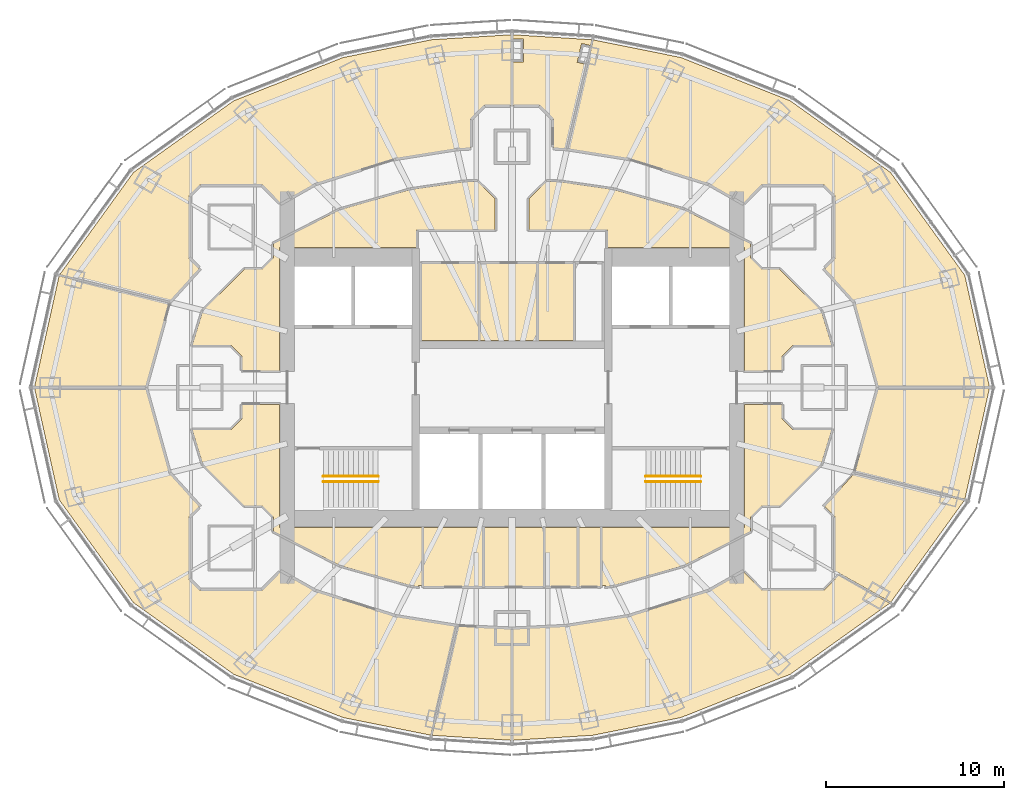
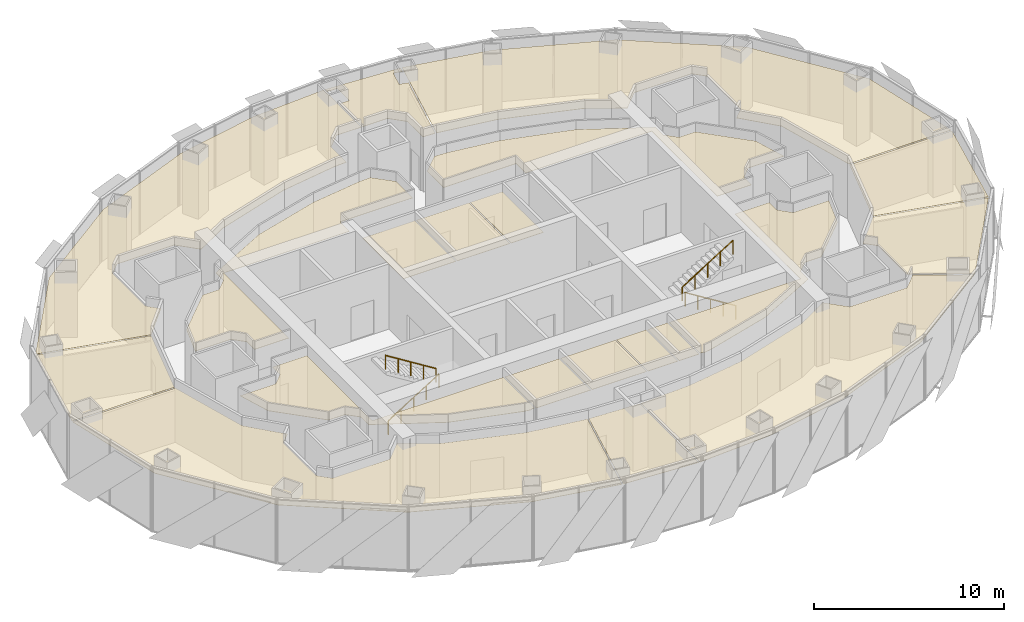
# One storey, part 18 of 18: 20 coverings, 4 railings.
"""IFC4 building model written with IfcOpenShell, lengths in metres."""

import ifcopenshell
import ifcopenshell.guid

model = None  # the IFC model being written
_history = None  # IfcOwnerHistory: only IFC2X3 demands one
_inside = {}  # id of a spatial element -> (the spatial element, [elements in it])
_under = {}  # id of a project, library or spatial element -> (it, [spatial elements below it])
_declared = {}  # id of a project -> (the project, [libraries it declares])
_typed = {}  # id of a type object -> (the type object, [elements of that type])
_made_of = {}  # id of a material, layer set ... -> (it, [elements and type objects made of it])


def new_model(schema):
    """Start an empty IFC model of exactly this schema.

    Asked for "IFC4X3", IfcOpenShell would pick the latest addendum, in which some entities
    have other attributes; the version numbers below select the first issue.
    IFC2X3 requires an IfcOwnerHistory on every rooted entity: one is made here for all.
    """
    global model, _history
    if schema == "IFC4X3":
        model = ifcopenshell.file(schema_version=(4, 3, 0, 0))
    else:
        model = ifcopenshell.file(schema=schema)
    _inside.clear()
    _under.clear()
    _declared.clear()
    _typed.clear()
    _made_of.clear()
    _history = None
    if model.schema == "IFC2X3":
        org = make("IfcOrganization", Name="unknown")
        user = make(
            "IfcPersonAndOrganization",
            ThePerson=make("IfcPerson", FamilyName="unknown"),
            TheOrganization=org,
        )
        app = make(
            "IfcApplication",
            ApplicationDeveloper=org,
            Version="unknown",
            ApplicationFullName="unknown",
            ApplicationIdentifier="unknown",
        )
        _history = make(
            "IfcOwnerHistory",
            OwningUser=user,
            OwningApplication=app,
            ChangeAction="ADDED",
            CreationDate=0,
        )
    return model


def make(cls, **values):
    """One entity of the class cls with the attributes given. An attribute that is None is left unset."""
    return model.create_entity(
        cls, **{name: value for name, value in values.items() if value is not None}
    )


def rooted(cls, **values):
    """An entity with a GlobalId (a new one), such as an element, a storey or a relation."""
    return make(cls, GlobalId=ifcopenshell.guid.new(), OwnerHistory=_history, **values)


def si_unit(unit_type, name, prefix=None):
    """IfcSIUnit, for example si_unit("LENGTHUNIT", "METRE", prefix="MILLI")."""
    return make("IfcSIUnit", UnitType=unit_type, Prefix=prefix, Name=name)


def assignment(units):
    """IfcUnitAssignment: the units of a project."""
    return None if units is None else make("IfcUnitAssignment", Units=units)


def point(xyz):
    """IfcCartesianPoint."""
    return None if xyz is None else make("IfcCartesianPoint", Coordinates=xyz)


def direction(xyz):
    """IfcDirection."""
    return None if xyz is None else make("IfcDirection", DirectionRatios=xyz)


def frame(location, z_axis=None, x_axis=None):
    """IfcAxis2Placement3D, a coordinate frame: its origin and axes. An axis left out is left unset."""
    return make(
        "IfcAxis2Placement3D",
        Location=point(location),
        Axis=direction(z_axis),
        RefDirection=direction(x_axis),
    )


def frame_2d(location, x_axis=None):
    """IfcAxis2Placement2D, a coordinate frame in the plane: its origin and x axis."""
    return make(
        "IfcAxis2Placement2D", Location=point(location), RefDirection=direction(x_axis)
    )


def origin():
    """The frame at (0, 0, 0) with its axes left unset."""
    return frame((0.0, 0.0, 0.0))


def origin_2d():
    """The frame at (0, 0) in the plane with its x axis left unset."""
    return frame_2d((0.0, 0.0))


def place(relative_to, where):
    """IfcLocalPlacement: puts the frame where relative to a parent placement (None: the world)."""
    return make(
        "IfcLocalPlacement", PlacementRelTo=relative_to, RelativePlacement=where
    )


def context(
    kind, dimensions, precision=None, world=None, true_north=None, identifier=None
):
    """IfcGeometricRepresentationContext, for example the 3D "Model" context."""
    return make(
        "IfcGeometricRepresentationContext",
        ContextIdentifier=identifier,
        ContextType=kind,
        CoordinateSpaceDimension=dimensions,
        Precision=precision,
        WorldCoordinateSystem=world,
        TrueNorth=true_north,
    )


def subcontext(parent, identifier, kind, view, scale=None):
    """IfcGeometricRepresentationSubContext, for example "Body" below "Model"."""
    return make(
        "IfcGeometricRepresentationSubContext",
        ContextIdentifier=identifier,
        ContextType=kind,
        ParentContext=parent,
        TargetScale=scale,
        TargetView=view,
    )


def project(units=None, contexts=None):
    """IfcProject with its units and contexts."""
    return rooted(
        "IfcProject",
        Name="project",
        RepresentationContexts=contexts,
        UnitsInContext=assignment(units),
    )


def spatial(cls, under=None, at=None, **own):
    """A site, building, storey or space (cls), placed at a placement, below another one or the project."""
    s = rooted(cls, ObjectPlacement=at, **own)
    if under is not None:
        _under.setdefault(under.id(), (under, []))[1].append(s)
    return s


def polyline(points):
    """IfcPolyline through the points."""
    return make("IfcPolyline", Points=[point(p) for p in points])


def profile(cls, at=None, kind="AREA", **sizes):
    """A parametric profile (cls). Its sizes go by their IFC names, for example OverallWidth=200.0."""
    return make(cls, ProfileType=kind, Position=at, **sizes)


def circle(**sizes):
    """IfcCircleProfileDef."""
    return profile("IfcCircleProfileDef", **sizes)


def outline(outer, holes=None, kind="AREA"):
    """IfcArbitraryClosedProfileDef: a profile drawn as a closed curve; with holes, ...WithVoids."""
    if holes is None:
        return make("IfcArbitraryClosedProfileDef", ProfileType=kind, OuterCurve=outer)
    return make(
        "IfcArbitraryProfileDefWithVoids",
        ProfileType=kind,
        OuterCurve=outer,
        InnerCurves=holes,
    )


def extrude(swept, where, along, depth):
    """IfcExtrudedAreaSolid: the profile swept, set in the frame where, extruded along a direction by depth."""
    return make(
        "IfcExtrudedAreaSolid",
        SweptArea=swept,
        Position=where,
        ExtrudedDirection=direction(along),
        Depth=depth,
    )


def shape(context_of_items, identifier, shape_type, items):
    """IfcShapeRepresentation: the items that make up one representation, for example the "Body"."""
    return make(
        "IfcShapeRepresentation",
        ContextOfItems=context_of_items,
        RepresentationIdentifier=identifier,
        RepresentationType=shape_type,
        Items=items,
    )


def material(Name=None, Category=None):
    """IfcMaterial."""
    return make("IfcMaterial", Name=Name, Category=Category)


def layer(
    of_material, thickness, ventilated=None, Name=None, Category=None, Priority=None
):
    """IfcMaterialLayer: one layer of a wall or slab, of a material (None: an air gap)."""
    return make(
        "IfcMaterialLayer",
        Material=of_material,
        LayerThickness=thickness,
        IsVentilated=ventilated,
        Name=Name,
        Category=Category,
        Priority=Priority,
    )


def layer_set(layers, Name=None):
    """IfcMaterialLayerSet."""
    return make("IfcMaterialLayerSet", MaterialLayers=layers, LayerSetName=Name)


def made_of(thing, what):
    """Note that an element or type object is made of a material, layer set ...; save() writes the relation."""
    if what is not None:
        _made_of.setdefault(what.id(), (what, []))[1].append(thing)
    return thing


def type_object(cls, material=None, **own):
    """A type object (cls), such as IfcWallType, which elements share."""
    return made_of(rooted(cls, **own), material)


def element(
    cls,
    number,
    at=None,
    inside=None,
    cuts=None,
    type_object=None,
    material=None,
    context=None,
    identifier="Body",
    shape_type=None,
    held_by="IfcProductDefinitionShape",
    body=None,
    shapes=None,
    **own,
):
    """One element of the class cls, such as IfcWall. Its Tag is "e" and its number.

    at: its placement. inside: the storey or other place that contains it. cuts: it is an
    opening in that element (IfcRelVoidsElement). A single representation is given by context,
    identifier, shape_type and body (its items); several are given by shapes. held_by: the class
    of the entity that holds the representations. save() writes the other relations.
    """
    e = rooted(cls, Tag="e%d" % number, ObjectPlacement=at, **own)
    if body is not None:
        shapes = [shape(context, identifier, shape_type, body)]
    if shapes is not None:
        e.Representation = make(held_by, Representations=shapes)
    if inside is not None:
        _inside.setdefault(inside.id(), (inside, []))[1].append(e)
    if cuts is not None:
        rooted(
            "IfcRelVoidsElement", RelatingBuildingElement=cuts, RelatedOpeningElement=e
        )
    if type_object is not None:
        _typed.setdefault(type_object.id(), (type_object, []))[1].append(e)
    return made_of(e, material)


def aggregate(whole, parts):
    """IfcRelAggregates: a whole, such as a stair, and the parts it consists of."""
    return rooted("IfcRelAggregates", RelatingObject=whole, RelatedObjects=parts)


def save(model, path):
    """Write the relations noted so far, then the file.

    IfcRelAggregates (storeys below a building ...), IfcRelContainedInSpatialStructure (elements
    in a storey), IfcRelDefinesByType, IfcRelAssociatesMaterial and IfcRelDeclares: one each for
    every whole, place, type object, material and project.
    """
    for whole, parts in _under.values():
        aggregate(whole, parts)
    for where, things in _inside.values():
        rooted(
            "IfcRelContainedInSpatialStructure",
            RelatedElements=things,
            RelatingStructure=where,
        )
    for kind, things in _typed.values():
        rooted("IfcRelDefinesByType", RelatedObjects=things, RelatingType=kind)
    for what, things in _made_of.values():
        rooted("IfcRelAssociatesMaterial", RelatedObjects=things, RelatingMaterial=what)
    for by, libraries in _declared.values():
        rooted("IfcRelDeclares", RelatingContext=by, RelatedDefinitions=libraries)
    model.write(path)


model = new_model("IFC4")

# Units and contexts
model_context = context("Model", 3, precision=1e-05, world=origin(), true_north=direction((0.0, 1.0)))
body_context = subcontext(model_context, "Body", "Model", "MODEL_VIEW")
ifc_project = project(units=[si_unit("LENGTHUNIT", "METRE"), si_unit("AREAUNIT", "SQUARE_METRE"), si_unit("VOLUMEUNIT", "CUBIC_METRE"), si_unit("PLANEANGLEUNIT", "RADIAN"), si_unit("MASSUNIT", "GRAM", prefix="KILO")], contexts=[model_context])

# Site, building, storey
site_placement = place(None, origin())
site = spatial("IfcSite", under=ifc_project, at=site_placement, CompositionType="ELEMENT")
building_placement = place(site_placement, origin())
building = spatial("IfcBuilding", under=site, at=building_placement, Name="Lantaw Convention Tower", CompositionType="ELEMENT")
storey_placement = place(building_placement, frame((0.0, 0.0, 257.800048828125)))
storey = spatial("IfcBuildingStorey", under=building, at=storey_placement, Name="L60", CompositionType="ELEMENT", Elevation=257.800048828125)

# Railings
ifc_material_1 = material(Name="Stainless steel", Category="steel")
railing_type = type_object("IfcRailingType", Name="Stair handrail", PredefinedType="HANDRAIL", material=ifc_material_1)
railing_1_placement = place(storey_placement, frame((-10.580078125, -5.280029296875, 0.175048828125)))
element("IfcRailing", 1, at=railing_1_placement, inside=storey, type_object=railing_type, Name="Stair handrail S1", PredefinedType="HANDRAIL", context=body_context, shape_type="SweptSolid", body=[
    extrude(circle(Radius=0.02392578125, at=origin_2d()), frame((0.0, 0.0, 0.8759765625), z_axis=(0.848028513186, 0.0, 0.529950602248), x_axis=(0.0, 1.0, 0.0)), (0.0, 0.0, 1.0), 3.632080078125),
    extrude(circle(Radius=0.02099609375, at=origin_2d()), origin(), (0.0, 0.0, 1.0), 0.851806640625),
    extrude(circle(Radius=0.02099609375, at=origin_2d()), frame((0.77001953125, 0.0, 0.481201171875)), (0.0, 0.0, 1.0), 0.851806640625),
    extrude(circle(Radius=0.02099609375, at=origin_2d()), frame((1.5400390625, 0.0, 0.96240234375)), (0.0, 0.0, 1.0), 0.851806640625),
    extrude(circle(Radius=0.02099609375, at=origin_2d()), frame((2.31005859375, 0.0, 1.443603515625)), (0.0, 0.0, 1.0), 0.851806640625),
    extrude(circle(Radius=0.02099609375, at=origin_2d()), frame((3.080078125, 0.0, 1.9248046875)), (0.0, 0.0, 1.0), 0.851806640625),
])
railing_2_placement = place(storey_placement, frame((-7.5, -4.97998046875, 2.27490234375)))
element("IfcRailing", 2, at=railing_2_placement, inside=storey, type_object=railing_type, Name="Stair handrail S1", PredefinedType="HANDRAIL", context=body_context, shape_type="SweptSolid", body=[
    extrude(circle(Radius=0.02392578125, at=origin_2d()), frame((0.0, 0.0, 0.8759765625), z_axis=(-0.847998304005, 0.0, 0.529998940003), x_axis=(0.0, -1.0, 0.0)), (0.0, 0.0, 1.0), 3.632080078125),
    extrude(circle(Radius=0.02099609375, at=origin_2d()), origin(), (0.0, 0.0, 1.0), 0.851806640625),
    extrude(circle(Radius=0.02099609375, at=origin_2d()), frame((-0.77001953125, 0.0, 0.481201171875)), (0.0, 0.0, 1.0), 0.851806640625),
    extrude(circle(Radius=0.02099609375, at=origin_2d()), frame((-1.5400390625, 0.0, 0.96240234375)), (0.0, 0.0, 1.0), 0.851806640625),
    extrude(circle(Radius=0.02099609375, at=origin_2d()), frame((-2.31005859375, 0.0, 1.44384765625)), (0.0, 0.0, 1.0), 0.851806640625),
    extrude(circle(Radius=0.02099609375, at=origin_2d()), frame((-3.080078125, 0.0, 1.925048828125)), (0.0, 0.0, 1.0), 0.851806640625),
])
railing_3_placement = place(storey_placement, frame((10.580078125, -5.280029296875, 0.175048828125)))
element("IfcRailing", 3, at=railing_3_placement, inside=storey, type_object=railing_type, Name="Stair handrail S2", PredefinedType="HANDRAIL", context=body_context, shape_type="SweptSolid", body=[
    extrude(circle(Radius=0.02392578125, at=origin_2d()), frame((0.0, 0.0, 0.8759765625), z_axis=(-0.848028513186, 0.0, 0.529950602248), x_axis=(0.0, -1.0, 0.0)), (0.0, 0.0, 1.0), 3.632080078125),
    extrude(circle(Radius=0.02099609375, at=origin_2d()), origin(), (0.0, 0.0, 1.0), 0.851806640625),
    extrude(circle(Radius=0.02099609375, at=origin_2d()), frame((-0.77001953125, 0.0, 0.481201171875)), (0.0, 0.0, 1.0), 0.851806640625),
    extrude(circle(Radius=0.02099609375, at=origin_2d()), frame((-1.5400390625, 0.0, 0.96240234375)), (0.0, 0.0, 1.0), 0.851806640625),
    extrude(circle(Radius=0.02099609375, at=origin_2d()), frame((-2.31005859375, 0.0, 1.443603515625)), (0.0, 0.0, 1.0), 0.851806640625),
    extrude(circle(Radius=0.02099609375, at=origin_2d()), frame((-3.080078125, 0.0, 1.9248046875)), (0.0, 0.0, 1.0), 0.851806640625),
])
railing_4_placement = place(storey_placement, frame((7.5, -4.97998046875, 2.27490234375)))
element("IfcRailing", 4, at=railing_4_placement, inside=storey, type_object=railing_type, Name="Stair handrail S2", PredefinedType="HANDRAIL", context=body_context, shape_type="SweptSolid", body=[
    extrude(circle(Radius=0.02392578125, at=origin_2d()), frame((0.0, 0.0, 0.8759765625), z_axis=(0.847998304005, 0.0, 0.529998940003), x_axis=(0.0, 1.0, 0.0)), (0.0, 0.0, 1.0), 3.632080078125),
    extrude(circle(Radius=0.02099609375, at=origin_2d()), origin(), (0.0, 0.0, 1.0), 0.851806640625),
    extrude(circle(Radius=0.02099609375, at=origin_2d()), frame((0.77001953125, 0.0, 0.481201171875)), (0.0, 0.0, 1.0), 0.851806640625),
    extrude(circle(Radius=0.02099609375, at=origin_2d()), frame((1.5400390625, 0.0, 0.96240234375)), (0.0, 0.0, 1.0), 0.851806640625),
    extrude(circle(Radius=0.02099609375, at=origin_2d()), frame((2.31005859375, 0.0, 1.44384765625)), (0.0, 0.0, 1.0), 0.851806640625),
    extrude(circle(Radius=0.02099609375, at=origin_2d()), frame((3.080078125, 0.0, 1.925048828125)), (0.0, 0.0, 1.0), 0.851806640625),
])

# Coverings
ifc_material_2 = material(Name="Gypsum board on steel suspension grid", Category="steel")
ifc_layer = layer(ifc_material_2, 0.02001953125)
ifc_layer_set = layer_set([ifc_layer], Name="Suspended ceiling")
covering_type = type_object("IfcCoveringType", Name="Suspended ceiling", PredefinedType="CEILING", material=ifc_layer_set)
covering_1_placement = place(storey_placement, frame((0.0, 0.0, 3.449951171875)))
element("IfcCovering", 5, at=covering_1_placement, inside=storey, type_object=covering_type, Name="Male WC ceiling", PredefinedType="CEILING", context=body_context, shape_type="SweptSolid", body=[
    extrude(outline(polyline([(-5.080078125, 2.639892578125), (-1.88330078125, 2.639892578125), (-1.88330078125, 6.9599609375), (-5.080078125, 6.9599609375), (-5.080078125, 2.639892578125)])), origin(), (0.0, 0.0, 1.0), 0.02001953125),
])
covering_2_placement = place(storey_placement, frame((0.0, 0.0, 3.449951171875)))
element("IfcCovering", 6, at=covering_2_placement, inside=storey, type_object=covering_type, Name="Female WC ceiling", PredefinedType="CEILING", context=body_context, shape_type="SweptSolid", body=[
    extrude(outline(polyline([(-1.80322265625, 2.639892578125), (1.3935546875, 2.639892578125), (1.3935546875, 6.9599609375), (-1.80322265625, 6.9599609375), (-1.80322265625, 2.639892578125)])), origin(), (0.0, 0.0, 1.0), 0.02001953125),
])
covering_3_placement = place(storey_placement, frame((0.0, 0.0, 3.449951171875)))
element("IfcCovering", 7, at=covering_3_placement, inside=storey, type_object=covering_type, Name="Accessible WC ceiling", PredefinedType="CEILING", context=body_context, shape_type="SweptSolid", body=[
    extrude(outline(polyline([(1.4736328125, 2.639892578125), (3.441650390625, 2.639892578125), (3.441650390625, 6.9599609375), (1.4736328125, 6.9599609375), (1.4736328125, 2.639892578125)])), origin(), (0.0, 0.0, 1.0), 0.02001953125),
])
covering_4_placement = place(storey_placement, frame((0.0, 0.0, 3.449951171875)))
element("IfcCovering", 8, at=covering_4_placement, inside=storey, type_object=covering_type, Name="Male WC ceiling", PredefinedType="CEILING", context=body_context, shape_type="SweptSolid", body=[
    extrude(outline(polyline([(-4.9599609375, -11.159912109375), (-1.639892578125, -11.159912109375), (-1.639892578125, -7.840087890625), (-4.9599609375, -7.840087890625), (-4.9599609375, -11.159912109375)])), origin(), (0.0, 0.0, 1.0), 0.02001953125),
])
covering_5_placement = place(storey_placement, frame((0.0, 0.0, 3.449951171875)))
element("IfcCovering", 9, at=covering_5_placement, inside=storey, type_object=covering_type, Name="Female WC ceiling", PredefinedType="CEILING", context=body_context, shape_type="SweptSolid", body=[
    extrude(outline(polyline([(-1.56005859375, -11.159912109375), (1.760009765625, -11.159912109375), (1.760009765625, -7.840087890625), (-1.56005859375, -7.840087890625), (-1.56005859375, -11.159912109375)])), origin(), (0.0, 0.0, 1.0), 0.02001953125),
])
covering_6_placement = place(storey_placement, frame((0.0, 0.0, 3.449951171875)))
element("IfcCovering", 10, at=covering_6_placement, inside=storey, type_object=covering_type, Name="Accessible WC ceiling", PredefinedType="CEILING", context=body_context, shape_type="SweptSolid", body=[
    extrude(outline(polyline([(1.840087890625, -11.159912109375), (3.659912109375, -11.159912109375), (3.659912109375, -7.840087890625), (1.840087890625, -7.840087890625), (1.840087890625, -11.159912109375)])), origin(), (0.0, 0.0, 1.0), 0.02001953125),
])
covering_7_placement = place(storey_placement, frame((0.0, 0.0, 3.449951171875)))
element("IfcCovering", 11, at=covering_7_placement, inside=storey, type_object=covering_type, Name="Pantry ceiling", PredefinedType="CEILING", context=body_context, shape_type="SweptSolid", body=[
    extrude(outline(polyline([(3.739990234375, -11.159912109375), (4.9599609375, -11.159912109375), (4.9599609375, -7.840087890625), (3.739990234375, -7.840087890625), (3.739990234375, -11.159912109375)])), origin(), (0.0, 0.0, 1.0), 0.02001953125),
])
covering_8_placement = place(storey_placement, frame((0.0, 0.0, 3.449951171875)))
element("IfcCovering", 12, at=covering_8_placement, inside=storey, type_object=covering_type, Name="Meeting room ceiling", PredefinedType="CEILING", context=body_context, shape_type="SweptSolid", body=[
    extrude(outline(polyline([(-5.0400390625, -11.110107421875), (-5.0400390625, -7.840087890625), (-13.0400390625, -7.840087890625), (-13.0400390625, -0.93994140625), (-15.135009765625, -0.93994140625), (-15.135009765625, -1.7412109375), (-15.7587890625, -2.364990234375), (-17.932861328125, -2.364990234375), (-17.336181640625, -4.31005859375), (-15.008056640625, -6.635009765625), (-14.0087890625, -6.635009765625), (-13.385009765625, -7.2587890625), (-13.385009765625, -8.062255859375), (-9.65576171875, -9.9765625), (-5.67138671875, -11.108154296875), (-5.239990234375, -11.170166015625), (-5.239990234375, -11.110107421875), (-5.0400390625, -11.110107421875)])), origin(), (0.0, 0.0, 1.0), 0.02001953125),
])
covering_9_placement = place(storey_placement, frame((0.0, 0.0, 3.449951171875)))
element("IfcCovering", 13, at=covering_9_placement, inside=storey, type_object=covering_type, Name="Project room ceiling", PredefinedType="CEILING", context=body_context, shape_type="SweptSolid", body=[
    extrude(outline(polyline([(13.0400390625, -0.93994140625), (13.0400390625, -7.840087890625), (5.0400390625, -7.840087890625), (5.0400390625, -11.110107421875), (5.239990234375, -11.110107421875), (5.239990234375, -11.170166015625), (5.67138671875, -11.108154296875), (9.65576171875, -9.9765625), (13.385009765625, -8.062255859375), (13.385009765625, -7.2587890625), (14.0087890625, -6.635009765625), (15.008056640625, -6.635009765625), (17.336181640625, -4.31005859375), (17.932861328125, -2.364990234375), (15.7587890625, -2.364990234375), (15.135009765625, -1.7412109375), (15.135009765625, -0.93994140625), (13.0400390625, -0.93994140625)])), origin(), (0.0, 0.0, 1.0), 0.02001953125),
])
covering_10_placement = place(storey_placement, frame((0.0, 0.0, 3.449951171875)))
element("IfcCovering", 14, at=covering_10_placement, inside=storey, type_object=covering_type, Name="Tenant storage room ceiling", PredefinedType="CEILING", context=body_context, shape_type="SweptSolid", body=[
    extrude(outline(polyline([(0.93994140625, 10.577392578125), (0.93994140625, 8.840087890625), (5.360107421875, 8.840087890625), (5.360107421875, 7.840087890625), (13.0400390625, 7.840087890625), (13.0400390625, 0.93994140625), (15.135009765625, 0.93994140625), (15.135009765625, 1.7412109375), (15.7587890625, 2.364990234375), (17.932861328125, 2.364990234375), (17.336181640625, 4.31005859375), (15.008056640625, 6.635009765625), (14.0087890625, 6.635009765625), (13.385009765625, 7.2587890625), (13.385009765625, 8.062255859375), (9.65576171875, 9.9765625), (5.67138671875, 11.108154296875), (2.669677734375, 11.5400390625), (1.9462890625, 11.572509765625), (1.548828125, 11.175048828125), (1.53662109375, 11.175048828125), (0.93994140625, 10.577392578125)])), origin(), (0.0, 0.0, 1.0), 0.02001953125),
])
covering_11_placement = place(storey_placement, frame((0.0, 0.0, 3.449951171875)))
element("IfcCovering", 15, at=covering_11_placement, inside=storey, type_object=covering_type, Name="Meeting room ceiling", PredefinedType="CEILING", context=body_context, shape_type="SweptSolid", body=[
    extrude(outline(polyline([(-15.7587890625, 2.364990234375), (-15.135009765625, 1.7412109375), (-15.135009765625, 0.93994140625), (-13.0400390625, 0.93994140625), (-13.0400390625, 7.840087890625), (-5.360107421875, 7.840087890625), (-5.360107421875, 8.840087890625), (-0.93994140625, 8.840087890625), (-0.93994140625, 10.577392578125), (-1.53662109375, 11.175048828125), (-1.548828125, 11.175048828125), (-1.9462890625, 11.572509765625), (-2.669677734375, 11.5400390625), (-5.67138671875, 11.108154296875), (-9.65576171875, 9.9765625), (-13.385009765625, 8.062255859375), (-13.385009765625, 7.2587890625), (-14.0087890625, 6.635009765625), (-15.008056640625, 6.635009765625), (-17.336181640625, 4.31005859375), (-17.932861328125, 2.364990234375), (-15.7587890625, 2.364990234375)])), origin(), (0.0, 0.0, 1.0), 0.02001953125),
])
covering_12_placement = place(storey_placement, frame((0.0, 0.0, 3.449951171875)))
element("IfcCovering", 16, at=covering_12_placement, inside=storey, type_object=covering_type, Name="Tenant suite ceiling", PredefinedType="CEILING", context=body_context, shape_type="SweptSolid", body=[
    extrude(outline(polyline([(13.385009765625, 10.72900390625), (13.385009765625, 10.7412109375), (14.0087890625, 11.364990234375), (17.4912109375, 11.364990234375), (18.114990234375, 10.7412109375), (18.114990234375, 7.2587890625), (17.518798828125, 6.66259765625), (19.2080078125, 4.800048828125), (20.530517578125, 0.0400390625), (26.77099609375, 0.0400390625), (25.388916015625, 6.290283203125), (21.224365234375, 12.061767578125), (15.60498046875, 16.076416015625), (9.472900390625, 18.504638671875), (4.55859375, 19.492919921875), (3.130126953125, 13.37939453125), (6.530517578125, 12.837646484375), (11.016845703125, 11.428466796875), (12.973388671875, 10.318115234375), (13.385009765625, 10.72900390625)])), origin(), (0.0, 0.0, 1.0), 0.02001953125),
])
covering_13_placement = place(storey_placement, frame((0.0, 0.0, 3.449951171875)))
element("IfcCovering", 17, at=covering_13_placement, inside=storey, type_object=covering_type, Name="Meeting room ceiling", PredefinedType="CEILING", context=body_context, shape_type="SweptSolid", body=[
    extrude(outline(polyline([(2.324951171875, 15.048828125), (2.324951171875, 13.42431640625), (3.050048828125, 13.38818359375), (4.156005859375, 18.121826171875), (3.65625, 18.2373046875), (3.899169921875, 19.28955078125), (4.40185546875, 19.173583984375), (4.478759765625, 19.5029296875), (0.0400390625, 19.781982421875), (0.0400390625, 19.5400390625), (0.639892578125, 19.5400390625), (0.639892578125, 18.260009765625), (0.0400390625, 18.260009765625), (0.0400390625, 15.824951171875), (1.548828125, 15.824951171875), (2.324951171875, 15.048828125)])), origin(), (0.0, 0.0, 1.0), 0.02001953125),
])
covering_14_placement = place(storey_placement, frame((0.0, 0.0, 3.449951171875)))
element("IfcCovering", 18, at=covering_14_placement, inside=storey, type_object=covering_type, Name="Tenant suite ceiling", PredefinedType="CEILING", context=body_context, shape_type="SweptSolid", body=[
    extrude(outline(polyline([(-17.518798828125, 6.66259765625), (-18.114990234375, 7.2587890625), (-18.114990234375, 10.7412109375), (-17.4912109375, 11.364990234375), (-14.0087890625, 11.364990234375), (-13.385009765625, 10.7412109375), (-13.385009765625, 10.72900390625), (-12.973388671875, 10.318115234375), (-11.016845703125, 11.428466796875), (-6.530517578125, 12.837646484375), (-3.08544921875, 13.386474609375), (-2.324951171875, 13.42431640625), (-2.324951171875, 15.048828125), (-1.548828125, 15.824951171875), (-0.0400390625, 15.824951171875), (-0.0400390625, 19.781982421875), (-4.523193359375, 19.500244140625), (-9.472900390625, 18.504638671875), (-15.60498046875, 16.076416015625), (-21.224365234375, 12.061767578125), (-25.359130859375, 6.331787109375), (-19.185546875, 4.82470703125), (-17.518798828125, 6.66259765625)])), origin(), (0.0, 0.0, 1.0), 0.02001953125),
])
covering_15_placement = place(storey_placement, frame((0.0, 0.0, 3.449951171875)))
element("IfcCovering", 19, at=covering_15_placement, inside=storey, type_object=covering_type, Name="Meeting room ceiling", PredefinedType="CEILING", context=body_context, shape_type="SweptSolid", body=[
    extrude(outline(polyline([(-19.221435546875, 4.7509765625), (-25.39599609375, 6.258544921875), (-26.77099609375, 0.0400390625), (-20.530517578125, 0.0400390625), (-19.221435546875, 4.7509765625)])), origin(), (0.0, 0.0, 1.0), 0.02001953125),
])
covering_16_placement = place(storey_placement, frame((0.0, 0.0, 3.449951171875)))
element("IfcCovering", 20, at=covering_16_placement, inside=storey, type_object=covering_type, Name="Tenant suite ceiling", PredefinedType="CEILING", context=body_context, shape_type="SweptSolid", body=[
    extrude(outline(polyline([(-17.518798828125, -6.66259765625), (-19.2080078125, -4.800048828125), (-20.530517578125, -0.0400390625), (-26.77099609375, -0.0400390625), (-25.388916015625, -6.290283203125), (-21.224365234375, -12.061767578125), (-15.60498046875, -16.076416015625), (-9.472900390625, -18.504638671875), (-4.55859375, -19.492919921875), (-3.130126953125, -13.37939453125), (-6.530517578125, -12.837646484375), (-11.016845703125, -11.428466796875), (-12.973388671875, -10.318115234375), (-13.385009765625, -10.72900390625), (-13.385009765625, -10.7412109375), (-14.0087890625, -11.364990234375), (-17.4912109375, -11.364990234375), (-18.114990234375, -10.7412109375), (-18.114990234375, -7.2587890625), (-17.518798828125, -6.66259765625)])), origin(), (0.0, 0.0, 1.0), 0.02001953125),
])
covering_17_placement = place(storey_placement, frame((0.0, 0.0, 3.449951171875)))
element("IfcCovering", 21, at=covering_17_placement, inside=storey, type_object=covering_type, Name="Meeting room ceiling", PredefinedType="CEILING", context=body_context, shape_type="SweptSolid", body=[
    extrude(outline(polyline([(-3.050048828125, -13.38818359375), (-4.478759765625, -19.5029296875), (-0.0400390625, -19.781982421875), (-0.0400390625, -13.5380859375), (-3.050048828125, -13.38818359375)])), origin(), (0.0, 0.0, 1.0), 0.02001953125),
])
covering_18_placement = place(storey_placement, frame((0.0, 0.0, 3.449951171875)))
element("IfcCovering", 22, at=covering_18_placement, inside=storey, type_object=covering_type, Name="Tenant suite ceiling", PredefinedType="CEILING", context=body_context, shape_type="SweptSolid", body=[
    extrude(outline(polyline([(6.530517578125, -12.837646484375), (3.08544921875, -13.386474609375), (0.0400390625, -13.5380859375), (0.0400390625, -19.781982421875), (4.523193359375, -19.500244140625), (9.472900390625, -18.504638671875), (15.60498046875, -16.076416015625), (21.178466796875, -12.094482421875), (18.34375, -10.501220703125), (18.114990234375, -10.72900390625), (18.114990234375, -10.7412109375), (17.4912109375, -11.364990234375), (14.0087890625, -11.364990234375), (13.385009765625, -10.7412109375), (13.385009765625, -10.72900390625), (12.973388671875, -10.318115234375), (11.016845703125, -11.428466796875), (6.530517578125, -12.837646484375)])), origin(), (0.0, 0.0, 1.0), 0.02001953125),
])
covering_19_placement = place(storey_placement, frame((0.0, 0.0, 3.449951171875)))
element("IfcCovering", 23, at=covering_19_placement, inside=storey, type_object=covering_type, Name="Meeting room ceiling", PredefinedType="CEILING", context=body_context, shape_type="SweptSolid", body=[
    extrude(outline(polyline([(17.518798828125, -6.66259765625), (18.114990234375, -7.2587890625), (18.114990234375, -10.28076171875), (21.241455078125, -12.0380859375), (25.359130859375, -6.331787109375), (19.185546875, -4.82470703125), (17.518798828125, -6.66259765625)])), origin(), (0.0, 0.0, 1.0), 0.02001953125),
])
covering_20_placement = place(storey_placement, frame((0.0, 0.0, 3.449951171875)))
element("IfcCovering", 24, at=covering_20_placement, inside=storey, type_object=covering_type, Name="Pantry ceiling", PredefinedType="CEILING", context=body_context, shape_type="SweptSolid", body=[
    extrude(outline(polyline([(19.221435546875, -4.7509765625), (25.39599609375, -6.258544921875), (26.77099609375, -0.0400390625), (20.530517578125, -0.0400390625), (19.221435546875, -4.7509765625)])), origin(), (0.0, 0.0, 1.0), 0.02001953125),
])

save(model, "model.ifc")
